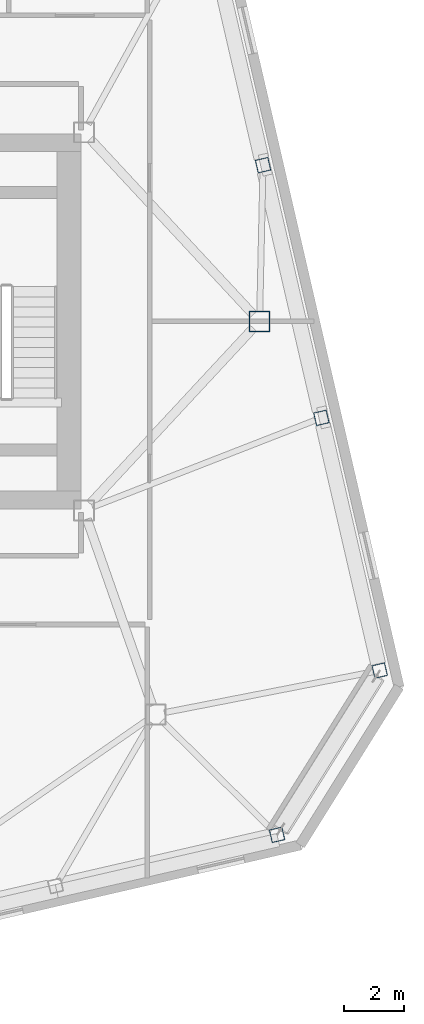
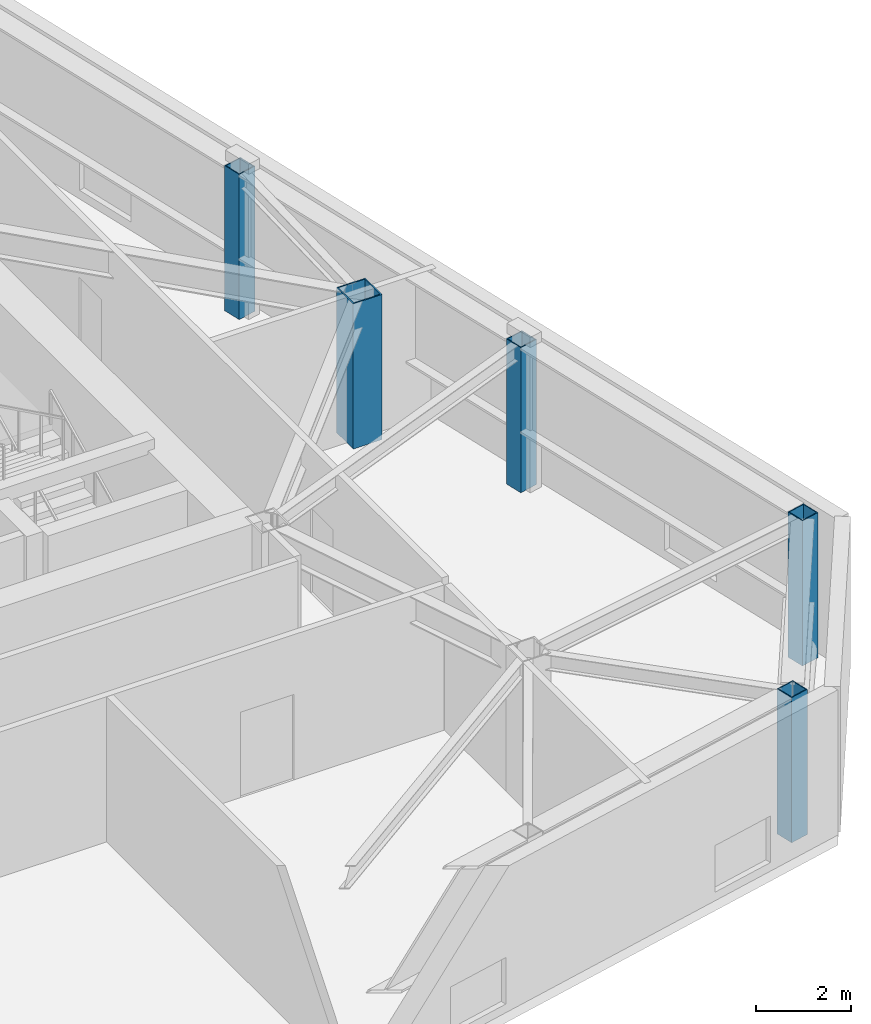
# One storey, part 3 of 23: 5 columns.
"""IFC4 building model written with IfcOpenShell, lengths in metres."""

from ifc_helpers import new_model, si_unit, direction, frame, origin, origin_2d, place, context, subcontext, project, spatial, hollow_rectangle, extrude, material, material_profile, profile_set, type_object, element, save


model = new_model("IFC4")

# Units and contexts
model_context = context("Model", 3, precision=1e-05, world=origin(), true_north=direction((0.0, 1.0)))
body_context = subcontext(model_context, "Body", "Model", "MODEL_VIEW")
ifc_project = project(units=[si_unit("LENGTHUNIT", "METRE"), si_unit("AREAUNIT", "SQUARE_METRE"), si_unit("VOLUMEUNIT", "CUBIC_METRE"), si_unit("PLANEANGLEUNIT", "RADIAN"), si_unit("MASSUNIT", "GRAM", prefix="KILO")], contexts=[model_context])

# Site, building, storey
site_placement = place(None, origin())
site = spatial("IfcSite", under=ifc_project, at=site_placement, CompositionType="ELEMENT")
building_placement = place(site_placement, origin())
building = spatial("IfcBuilding", under=site, at=building_placement, Name="Tavrogorsk Clinical Tower", CompositionType="ELEMENT")
storey_placement = place(building_placement, frame((0.0, 0.0, 305.0)))
storey = spatial("IfcBuildingStorey", under=building, at=storey_placement, Name="L71", CompositionType="ELEMENT", Elevation=305.0)

# Columns
ifc_material_1 = material(Name="Structural steel S440", Category="steel")
ifc_material_profile_1 = material_profile(ifc_material_1, hollow_rectangle(XDim=0.699951171875, YDim=0.699951171875, WallThickness=0.031982421875, at=origin_2d()), Name="BOX-700x700x32")
ifc_profile_set_1 = profile_set([ifc_material_profile_1], Name="Structural steel S440")
column_type_1 = type_object("IfcColumnType", Name="MegaCol_BOX700", PredefinedType="COLUMN", material=ifc_profile_set_1)
column_placement = place(storey_placement, frame((28.0, 0.0, 0.0), z_axis=(0.0, 0.0, 1.0), x_axis=(1.0, 0.0, 0.0)))
element("IfcColumn", 1, at=column_placement, inside=storey, type_object=column_type_1, Name="L71 Spine Pilotis Column MC-P6", PredefinedType="COLUMN", context=body_context, shape_type="SweptSolid", body=[
    extrude(hollow_rectangle(XDim=0.699951171875, YDim=0.699951171875, WallThickness=0.031982421875, at=origin_2d()), origin(), (0.0, 0.0, 1.0), 3.739990234375),
])
ifc_material_2 = material(Name="Structural steel S440", Category="steel")
ifc_material_profile_2 = material_profile(ifc_material_2, hollow_rectangle(XDim=0.449951171875, YDim=0.449951171875, WallThickness=0.02197265625, at=origin_2d()), Name="BOX-450x450x22")
ifc_profile_set_2 = profile_set([ifc_material_profile_2], Name="Structural steel S440")
column_type_2 = type_object("IfcColumnType", Name="PerimCol_B5_BOX450", PredefinedType="COLUMN", material=ifc_profile_set_2)
for number, where, z_axis, x_axis, name in (
    (2, (28.588623046875, -17.244873046875, 0.0), (0.0, 0.0, 1.0), (0.974370064785, 0.224951054344, 0.0), "L71 Perimeter Column S8"),
    (3, (32.035888671875, -11.72802734375, 0.0), (0.0, 0.0, 1.0), (0.974370064785, 0.224951054344, 0.0), "L71 Perimeter Column E1"),
    (4, (30.07666015625, -3.2412109375, 0.0), (0.0, 0.0, 1.0), (0.974370064785, 0.224951054344, 0.0), "L71 Perimeter Column E2"),
    (5, (28.1171875, 5.24560546875, 0.0), (0.0, 0.0, 1.0), (0.974370064785, 0.224951054344, 0.0), "L71 Perimeter Column E3"),
):
    element("IfcColumn", number, at=place(storey_placement, frame(where, z_axis=z_axis, x_axis=x_axis)), inside=storey, type_object=column_type_2, Name=name, PredefinedType="COLUMN", context=body_context, shape_type="SweptSolid", body=[
        extrude(hollow_rectangle(XDim=0.449951171875, YDim=0.449951171875, WallThickness=0.02197265625, at=origin_2d()), origin(), (0.0, 0.0, 1.0), 3.739990234375),
    ])

save(model, "model.ifc")
